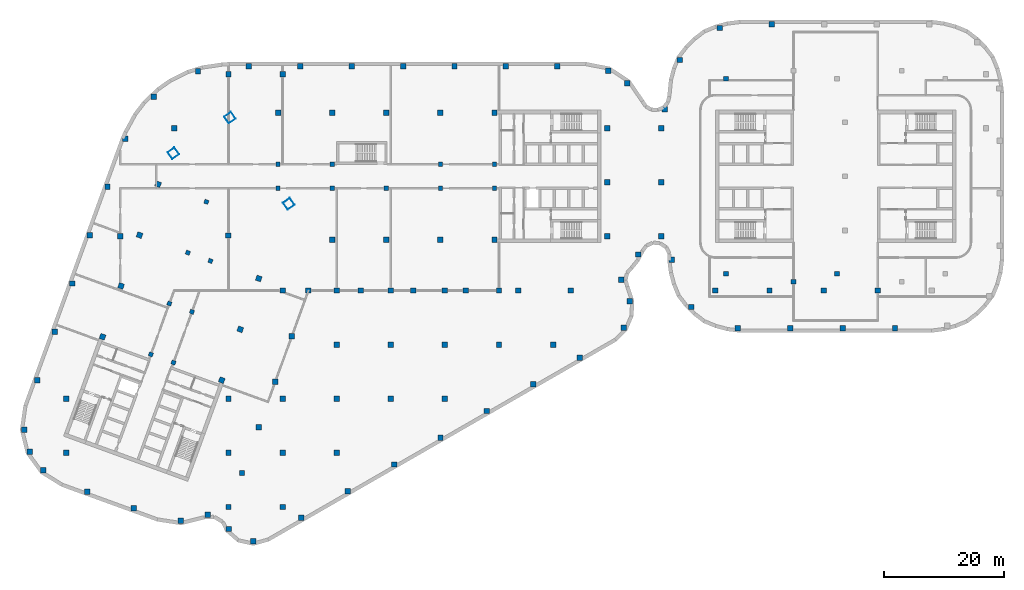
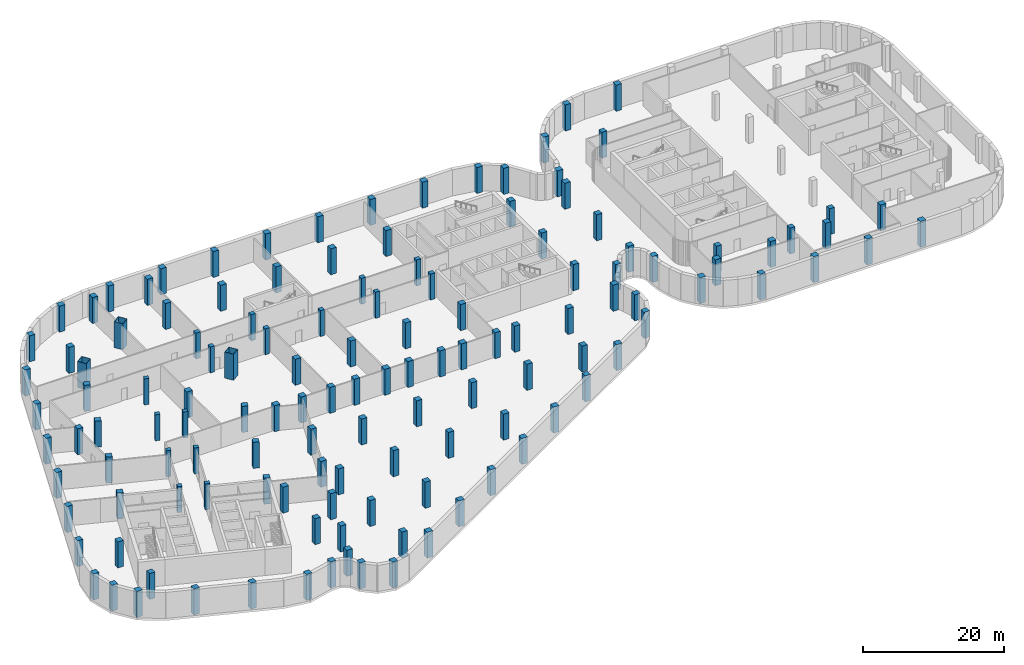
# One storey, part 1 of 16: 133 columns.
"""IFC4 building model written with IfcOpenShell, lengths in metres."""

from ifc_helpers import new_model, si_unit, direction, frame, origin, origin_2d, place, context, subcontext, project, spatial, rectangle, hollow_rectangle, extrude, material, material_profile, profile_set, type_object, element, save


model = new_model("IFC4")

# Units and contexts
model_context = context("Model", 3, precision=1e-05, world=origin(), true_north=direction((0.0, 1.0)))
body_context = subcontext(model_context, "Body", "Model", "MODEL_VIEW")
ifc_project = project(units=[si_unit("LENGTHUNIT", "METRE"), si_unit("AREAUNIT", "SQUARE_METRE"), si_unit("VOLUMEUNIT", "CUBIC_METRE"), si_unit("PLANEANGLEUNIT", "RADIAN"), si_unit("MASSUNIT", "GRAM", prefix="KILO")], contexts=[model_context])

# Site, building, storey
site_placement = place(None, origin())
site = spatial("IfcSite", under=ifc_project, at=site_placement, CompositionType="ELEMENT")
building_placement = place(site_placement, origin())
building = spatial("IfcBuilding", under=site, at=building_placement, Name="Skarvind Civic Tower", CompositionType="ELEMENT")
storey_placement = place(building_placement, frame((0.0, 0.0, -4.5)))
storey = spatial("IfcBuildingStorey", under=building, at=storey_placement, Name="B1", CompositionType="ELEMENT", Elevation=-4.5)

# Columns
ifc_material_1 = material(Name="Concrete C60", Category="concrete")
ifc_material_profile_1 = material_profile(ifc_material_1, rectangle(XDim=0.699951171875, YDim=0.699951171875, at=origin_2d()), Name="RC-700x700")
ifc_profile_set_1 = profile_set([ifc_material_profile_1], Name="Concrete C60")
column_type_1 = type_object("IfcColumnType", Name="Column RC-700x700 C60", PredefinedType="COLUMN", material=ifc_profile_set_1)
for number, where, z_axis, x_axis, name in (
    (1, (54.25, 130.0, 0.0), (0.0, 0.0, 1.0), (1.0, 0.0, 0.0), "Column wing 1 north inner 02 B1"),
    (2, (63.25, 130.0, 0.0), (0.0, 0.0, 1.0), (1.0, 0.0, 0.0), "Column wing 1 north inner 03 B1"),
    (3, (81.25, 130.0, 0.0), (0.0, 0.0, 1.0), (1.0, 0.0, 0.0), "Column wing 1 north inner 05 B1"),
    (4, (90.25, 130.0, 0.0), (0.0, 0.0, 1.0), (1.0, 0.0, 0.0), "Column wing 1 north inner 06 B1"),
    (5, (54.25, 126.0, 0.0), (0.0, 0.0, 1.0), (1.0, 0.0, 0.0), "Column wing 1 south inner 02 B1"),
    (6, (63.25, 126.0, 0.0), (0.0, 0.0, 1.0), (1.0, 0.0, 0.0), "Column wing 1 south inner 03 B1"),
    (7, (72.25, 126.0, 0.0), (0.0, 0.0, 1.0), (1.0, 0.0, 0.0), "Column wing 1 south inner 04 B1"),
    (8, (81.25, 126.0, 0.0), (0.0, 0.0, 1.0), (1.0, 0.0, 0.0), "Column wing 1 south inner 05 B1"),
    (9, (90.25, 126.0, 0.0), (0.0, 0.0, 1.0), (1.0, 0.0, 0.0), "Column wing 1 south inner 06 B1"),
    (10, (43.005615234375, 113.92529296875, 0.0), (0.0, 0.0, 1.0), (-0.342020143326, -0.939692620786, 0.0), "Column wing 2 left inner 02 B1"),
    (11, (39.927490234375, 105.468017578125, 0.0), (0.0, 0.0, 1.0), (-0.342020143326, -0.939692620786, 0.0), "Column wing 2 left inner 03 B1"),
    (12, (36.84912109375, 97.010986328125, 0.0), (0.0, 0.0, 1.0), (-0.342020143326, -0.939692620786, 0.0), "Column wing 2 left inner 04 B1"),
    (13, (42.324951171875, 123.750732421875, 0.0), (0.0, 0.0, 1.0), (-0.342020143326, -0.939692620786, 0.0), "Column wing 2 right inner 01 B1"),
    (14, (39.246826171875, 115.29345703125, 0.0), (0.0, 0.0, 1.0), (-0.342020143326, -0.939692620786, 0.0), "Column wing 2 right inner 02 B1"),
    (15, (36.168701171875, 106.836181640625, 0.0), (0.0, 0.0, 1.0), (-0.342020143326, -0.939692620786, 0.0), "Column wing 2 right inner 03 B1"),
    (16, (33.090576171875, 98.37890625, 0.0), (0.0, 0.0, 1.0), (-0.342020143326, -0.939692620786, 0.0), "Column wing 2 right inner 04 B1"),
):
    element("IfcColumn", number, at=place(storey_placement, frame(where, z_axis=z_axis, x_axis=x_axis)), inside=storey, type_object=column_type_1, Name=name, PredefinedType="COLUMN", context=body_context, shape_type="SweptSolid", body=[
        extrude(rectangle(XDim=0.699951171875, YDim=0.699951171875, at=origin_2d()), origin(), (0.0, 0.0, 1.0), 4.5),
    ])
ifc_material_profile_2 = material_profile(ifc_material_1, rectangle(XDim=0.800048828125, YDim=0.800048828125, at=origin_2d()), Name="RC-800x800")
ifc_profile_set_2 = profile_set([ifc_material_profile_2], Name="Concrete C60")
column_type_2 = type_object("IfcColumnType", Name="Column RC-800x800 C60", PredefinedType="COLUMN", material=ifc_profile_set_2)
for number, where, z_axis, x_axis, name in (
    (17, (128.777099609375, 144.222900390625, 0.0), (0.0, 0.0, 1.0), (1.0, 0.0, 0.0), "Column second tower north-west corner B1"),
    (18, (128.777099609375, 111.777099609375, 0.0), (0.0, 0.0, 1.0), (1.0, 0.0, 0.0), "Column second tower south-west corner B1"),
    (19, (140.0, 110.449951171875, 0.0), (0.0, 0.0, 1.0), (1.0, 0.0, 0.0), "Column second tower south perimeter 02 B1"),
    (20, (147.222900390625, 111.777099609375, 0.0), (0.0, 0.0, 1.0), (1.0, 0.0, 0.0), "Column second tower south perimeter 03 B1"),
):
    element("IfcColumn", number, at=place(storey_placement, frame(where, z_axis=z_axis, x_axis=x_axis)), inside=storey, type_object=column_type_2, Name=name, PredefinedType="COLUMN", context=body_context, shape_type="SweptSolid", body=[
        extrude(rectangle(XDim=0.800048828125, YDim=0.800048828125, at=origin_2d()), origin(), (0.0, 0.0, 1.0), 4.5),
    ])
ifc_material_profile_3 = material_profile(ifc_material_1, rectangle(XDim=0.89990234375, YDim=0.89990234375, at=origin_2d()), Name="RC-900x900")
ifc_profile_set_3 = profile_set([ifc_material_profile_3], Name="Concrete C60")
column_type_3 = type_object("IfcColumnType", Name="Column RC-900x900 C60", PredefinedType="COLUMN", material=ifc_profile_set_3)
for number, where, z_axis, x_axis, name in (
    (21, (127.0, 109.0, 0.0), (0.0, 0.0, 1.0), (1.0, 0.0, 0.0), "Column podium grid 100 B1"),
    (22, (136.0, 109.0, 0.0), (0.0, 0.0, 1.0), (1.0, 0.0, 0.0), "Column podium grid 101 B1"),
    (23, (145.0, 109.0, 0.0), (0.0, 0.0, 1.0), (1.0, 0.0, 0.0), "Column podium grid 102 B1"),
    (24, (154.0, 109.0, 0.0), (0.0, 0.0, 1.0), (1.0, 0.0, 0.0), "Column podium grid 103 B1"),
    (25, (19.0, 82.0, 0.0), (0.0, 0.0, 1.0), (1.0, 0.0, 0.0), "Column podium grid 68 B1"),
    (26, (19.0, 91.0, 0.0), (0.0, 0.0, 1.0), (1.0, 0.0, 0.0), "Column podium grid 69 B1"),
    (27, (28.0, 118.0, 0.0), (0.0, 0.0, 1.0), (1.0, 0.0, 0.0), "Column podium grid 70 B1"),
    (28, (37.0, 136.0, 0.0), (0.0, 0.0, 1.0), (1.0, 0.0, 0.0), "Column podium grid 71 B1"),
    (29, (46.0, 73.0, 0.0), (0.0, 0.0, 1.0), (1.0, 0.0, 0.0), "Column podium grid 72 B1"),
    (30, (46.0, 82.0, 0.0), (0.0, 0.0, 1.0), (1.0, 0.0, 0.0), "Column podium grid 73 B1"),
    (31, (46.0, 91.0, 0.0), (0.0, 0.0, 1.0), (1.0, 0.0, 0.0), "Column podium grid 74 B1"),
    (32, (46.0, 145.0, 0.0), (0.0, 0.0, 1.0), (1.0, 0.0, 0.0), "Column podium grid 75 B1"),
    (33, (55.0, 73.0, 0.0), (0.0, 0.0, 1.0), (1.0, 0.0, 0.0), "Column podium grid 76 B1"),
    (34, (55.0, 82.0, 0.0), (0.0, 0.0, 1.0), (1.0, 0.0, 0.0), "Column podium grid 77 B1"),
    (35, (55.0, 91.0, 0.0), (0.0, 0.0, 1.0), (1.0, 0.0, 0.0), "Column podium grid 78 B1"),
    (36, (55.0, 109.0, 0.0), (0.0, 0.0, 1.0), (1.0, 0.0, 0.0), "Column podium grid 79 B1"),
    (37, (55.0, 145.0, 0.0), (0.0, 0.0, 1.0), (1.0, 0.0, 0.0), "Column podium grid 80 B1"),
    (38, (64.0, 82.0, 0.0), (0.0, 0.0, 1.0), (1.0, 0.0, 0.0), "Column podium grid 81 B1"),
    (39, (64.0, 91.0, 0.0), (0.0, 0.0, 1.0), (1.0, 0.0, 0.0), "Column podium grid 82 B1"),
    (40, (64.0, 100.0, 0.0), (0.0, 0.0, 1.0), (1.0, 0.0, 0.0), "Column podium grid 83 B1"),
    (41, (64.0, 109.0, 0.0), (0.0, 0.0, 1.0), (1.0, 0.0, 0.0), "Column podium grid 84 B1"),
    (42, (73.0, 91.0, 0.0), (0.0, 0.0, 1.0), (1.0, 0.0, 0.0), "Column podium grid 85 B1"),
    (43, (73.0, 100.0, 0.0), (0.0, 0.0, 1.0), (1.0, 0.0, 0.0), "Column podium grid 86 B1"),
    (44, (73.0, 109.0, 0.0), (0.0, 0.0, 1.0), (1.0, 0.0, 0.0), "Column podium grid 87 B1"),
    (45, (82.0, 91.0, 0.0), (0.0, 0.0, 1.0), (1.0, 0.0, 0.0), "Column podium grid 88 B1"),
    (46, (82.0, 100.0, 0.0), (0.0, 0.0, 1.0), (1.0, 0.0, 0.0), "Column podium grid 89 B1"),
    (47, (82.0, 109.0, 0.0), (0.0, 0.0, 1.0), (1.0, 0.0, 0.0), "Column podium grid 90 B1"),
    (48, (91.0, 100.0, 0.0), (0.0, 0.0, 1.0), (1.0, 0.0, 0.0), "Column podium grid 91 B1"),
    (49, (91.0, 109.0, 0.0), (0.0, 0.0, 1.0), (1.0, 0.0, 0.0), "Column podium grid 92 B1"),
    (50, (100.0, 100.0, 0.0), (0.0, 0.0, 1.0), (1.0, 0.0, 0.0), "Column podium grid 93 B1"),
    (51, (109.0, 118.0, 0.0), (0.0, 0.0, 1.0), (1.0, 0.0, 0.0), "Column podium grid 94 B1"),
    (52, (109.0, 127.0, 0.0), (0.0, 0.0, 1.0), (1.0, 0.0, 0.0), "Column podium grid 95 B1"),
    (53, (109.0, 136.0, 0.0), (0.0, 0.0, 1.0), (1.0, 0.0, 0.0), "Column podium grid 96 B1"),
    (54, (118.0, 118.0, 0.0), (0.0, 0.0, 1.0), (1.0, 0.0, 0.0), "Column podium grid 97 B1"),
    (55, (118.0, 127.0, 0.0), (0.0, 0.0, 1.0), (1.0, 0.0, 0.0), "Column podium grid 98 B1"),
    (56, (118.0, 136.0, 0.0), (0.0, 0.0, 1.0), (1.0, 0.0, 0.0), "Column podium grid 99 B1"),
    (57, (50.135498046875, 67.277099609375, 0.0), (0.0, 0.0, 1.0), (1.0, 0.0, 0.0), "Column podium edge 01 B1"),
    (58, (46.0517578125, 69.341796875, 0.0), (0.0, 0.0, 1.0), (1.0, 0.0, 0.0), "Column podium edge 02 B1"),
    (59, (42.575927734375, 71.690673828125, 0.0), (0.0, 0.0, 1.0), (1.0, 0.0, 0.0), "Column podium edge 03 B1"),
    (60, (38.081787109375, 70.70361328125, 0.0), (0.0, 0.0, 1.0), (1.0, 0.0, 0.0), "Column podium edge 04 B1"),
    (61, (30.215087890625, 72.767822265625, 0.0), (0.0, 0.0, 1.0), (1.0, 0.0, 0.0), "Column podium edge 05 B1"),
    (62, (22.53515625, 75.56298828125, 0.0), (0.0, 0.0, 1.0), (1.0, 0.0, 0.0), "Column podium edge 06 B1"),
    (63, (15.204833984375, 79.07763671875, 0.0), (0.0, 0.0, 1.0), (1.0, 0.0, 0.0), "Column podium edge 07 B1"),
    (64, (12.957763671875, 82.1640625, 0.0), (0.0, 0.0, 1.0), (1.0, 0.0, 0.0), "Column podium edge 08 B1"),
    (65, (12.037841796875, 85.869384765625, 0.0), (0.0, 0.0, 1.0), (1.0, 0.0, 0.0), "Column podium edge 09 B1"),
    (66, (14.1865234375, 94.0986328125, 0.0), (0.0, 0.0, 1.0), (1.0, 0.0, 0.0), "Column podium edge 10 B1"),
    (67, (17.11083984375, 102.133056640625, 0.0), (0.0, 0.0, 1.0), (1.0, 0.0, 0.0), "Column podium edge 11 B1"),
    (68, (20.03515625, 110.167724609375, 0.0), (0.0, 0.0, 1.0), (1.0, 0.0, 0.0), "Column podium edge 12 B1"),
    (69, (22.95947265625, 118.2021484375, 0.0), (0.0, 0.0, 1.0), (1.0, 0.0, 0.0), "Column podium edge 13 B1"),
    (70, (25.8837890625, 126.236572265625, 0.0), (0.0, 0.0, 1.0), (1.0, 0.0, 0.0), "Column podium edge 14 B1"),
    (71, (28.818603515625, 134.266845703125, 0.0), (0.0, 0.0, 1.0), (1.0, 0.0, 0.0), "Column podium edge 15 B1"),
    (72, (33.59375, 141.267822265625, 0.0), (0.0, 0.0, 1.0), (1.0, 0.0, 0.0), "Column podium edge 16 B1"),
    (73, (40.927001953125, 145.478515625, 0.0), (0.0, 0.0, 1.0), (1.0, 0.0, 0.0), "Column podium edge 17 B1"),
    (74, (49.399658203125, 146.300048828125, 0.0), (0.0, 0.0, 1.0), (1.0, 0.0, 0.0), "Column podium edge 18 B1"),
    (75, (57.949951171875, 146.300048828125, 0.0), (0.0, 0.0, 1.0), (1.0, 0.0, 0.0), "Column podium edge 19 B1"),
    (76, (66.5, 146.300048828125, 0.0), (0.0, 0.0, 1.0), (1.0, 0.0, 0.0), "Column podium edge 20 B1"),
    (77, (75.050048828125, 146.300048828125, 0.0), (0.0, 0.0, 1.0), (1.0, 0.0, 0.0), "Column podium edge 21 B1"),
    (78, (83.600341796875, 146.300048828125, 0.0), (0.0, 0.0, 1.0), (1.0, 0.0, 0.0), "Column podium edge 22 B1"),
    (79, (92.150390625, 146.300048828125, 0.0), (0.0, 0.0, 1.0), (1.0, 0.0, 0.0), "Column podium edge 23 B1"),
    (80, (100.700439453125, 146.300048828125, 0.0), (0.0, 0.0, 1.0), (1.0, 0.0, 0.0), "Column podium edge 24 B1"),
    (81, (109.179931640625, 145.566650390625, 0.0), (0.0, 0.0, 1.0), (1.0, 0.0, 0.0), "Column podium edge 25 B1"),
    (82, (112.329345703125, 143.49560546875, 0.0), (0.0, 0.0, 1.0), (1.0, 0.0, 0.0), "Column podium edge 26 B1"),
    (83, (118.597900390625, 139.153076171875, 0.0), (0.0, 0.0, 1.0), (1.0, 0.0, 0.0), "Column podium edge 27 B1"),
    (84, (121.09521484375, 147.3408203125, 0.0), (0.0, 0.0, 1.0), (1.0, 0.0, 0.0), "Column podium edge 28 B1"),
    (85, (127.706787109375, 152.675048828125, 0.0), (0.0, 0.0, 1.0), (1.0, 0.0, 0.0), "Column podium edge 29 B1"),
    (86, (136.371826171875, 153.300048828125, 0.0), (0.0, 0.0, 1.0), (1.0, 0.0, 0.0), "Column podium edge 30 B1"),
    (87, (156.875, 102.699951171875, 0.0), (0.0, 0.0, 1.0), (1.0, 0.0, 0.0), "Column podium edge 41 B1"),
    (88, (148.1455078125, 102.699951171875, 0.0), (0.0, 0.0, 1.0), (1.0, 0.0, 0.0), "Column podium edge 42 B1"),
    (89, (139.415771484375, 102.699951171875, 0.0), (0.0, 0.0, 1.0), (1.0, 0.0, 0.0), "Column podium edge 43 B1"),
    (90, (130.689453125, 102.749755859375, 0.0), (0.0, 0.0, 1.0), (1.0, 0.0, 0.0), "Column podium edge 44 B1"),
    (91, (122.94677734375, 106.265380859375, 0.0), (0.0, 0.0, 1.0), (1.0, 0.0, 0.0), "Column podium edge 45 B1"),
    (92, (119.70458984375, 114.13671875, 0.0), (0.0, 0.0, 1.0), (1.0, 0.0, 0.0), "Column podium edge 46 B1"),
    (93, (114.146240234375, 114.994384765625, 0.0), (0.0, 0.0, 1.0), (1.0, 0.0, 0.0), "Column podium edge 47 B1"),
    (94, (112.776611328125, 107.21484375, 0.0), (0.0, 0.0, 1.0), (1.0, 0.0, 0.0), "Column podium edge 48 B1"),
    (95, (111.77294921875, 102.8076171875, 0.0), (0.0, 0.0, 1.0), (1.0, 0.0, 0.0), "Column podium edge 49 B1"),
    (96, (104.4453125, 97.850830078125, 0.0), (0.0, 0.0, 1.0), (1.0, 0.0, 0.0), "Column podium edge 50 B1"),
    (97, (96.719970703125, 93.404541015625, 0.0), (0.0, 0.0, 1.0), (1.0, 0.0, 0.0), "Column podium edge 51 B1"),
    (98, (88.994384765625, 88.958251953125, 0.0), (0.0, 0.0, 1.0), (1.0, 0.0, 0.0), "Column podium edge 52 B1"),
    (99, (81.26904296875, 84.511962890625, 0.0), (0.0, 0.0, 1.0), (1.0, 0.0, 0.0), "Column podium edge 53 B1"),
    (100, (73.543701171875, 80.065673828125, 0.0), (0.0, 0.0, 1.0), (1.0, 0.0, 0.0), "Column podium edge 54 B1"),
    (101, (65.818359375, 75.619384765625, 0.0), (0.0, 0.0, 1.0), (1.0, 0.0, 0.0), "Column podium edge 55 B1"),
    (102, (58.093017578125, 71.173095703125, 0.0), (0.0, 0.0, 1.0), (1.0, 0.0, 0.0), "Column podium edge 56 B1"),
    (103, (48.256591796875, 78.647705078125, 0.0), (0.0, 0.0, 1.0), (1.0, 0.0, 0.0), "Column podium edge 57 B1"),
    (104, (51.0185546875, 86.23583984375, 0.0), (0.0, 0.0, 1.0), (1.0, 0.0, 0.0), "Column podium edge 58 B1"),
    (105, (53.7802734375, 93.823974609375, 0.0), (0.0, 0.0, 1.0), (1.0, 0.0, 0.0), "Column podium edge 59 B1"),
    (106, (56.5419921875, 101.411865234375, 0.0), (0.0, 0.0, 1.0), (1.0, 0.0, 0.0), "Column podium edge 60 B1"),
    (107, (59.303955078125, 109.0, 0.0), (0.0, 0.0, 1.0), (1.0, 0.0, 0.0), "Column podium edge 61 B1"),
    (108, (68.033203125, 109.0, 0.0), (0.0, 0.0, 1.0), (1.0, 0.0, 0.0), "Column podium edge 62 B1"),
    (109, (76.762451171875, 109.0, 0.0), (0.0, 0.0, 1.0), (1.0, 0.0, 0.0), "Column podium edge 63 B1"),
    (110, (85.491455078125, 109.0, 0.0), (0.0, 0.0, 1.0), (1.0, 0.0, 0.0), "Column podium edge 64 B1"),
    (111, (94.220703125, 109.0, 0.0), (0.0, 0.0, 1.0), (1.0, 0.0, 0.0), "Column podium edge 65 B1"),
    (112, (102.949951171875, 109.0, 0.0), (0.0, 0.0, 1.0), (1.0, 0.0, 0.0), "Column podium edge 66 B1"),
    (113, (111.3330078125, 110.789794921875, 0.0), (0.0, 0.0, 1.0), (1.0, 0.0, 0.0), "Column podium edge 67 B1"),
):
    element("IfcColumn", number, at=place(storey_placement, frame(where, z_axis=z_axis, x_axis=x_axis)), inside=storey, type_object=column_type_3, Name=name, PredefinedType="COLUMN", context=body_context, shape_type="SweptSolid", body=[
        extrude(rectangle(XDim=0.89990234375, YDim=0.89990234375, at=origin_2d()), origin(), (0.0, 0.0, 1.0), 4.5),
    ])
ifc_material_2 = material(Name="Concrete C80", Category="concrete")
ifc_material_profile_4 = material_profile(ifc_material_2, rectangle(XDim=0.89990234375, YDim=0.89990234375, at=origin_2d()), Name="RC-900x900")
ifc_profile_set_4 = profile_set([ifc_material_profile_4], Name="Concrete C80")
column_type_4 = type_object("IfcColumnType", Name="Column RC-900x900 C80", PredefinedType="COLUMN", material=ifc_profile_set_4)
for number, where, z_axis, x_axis, name in (
    (114, (54.25, 138.550048828125, 0.0), (0.0, 0.0, 1.0), (1.0, 0.0, 0.0), "Column wing 1 north perimeter 02 B1"),
    (115, (63.25, 138.550048828125, 0.0), (0.0, 0.0, 1.0), (1.0, 0.0, 0.0), "Column wing 1 north perimeter 03 B1"),
    (116, (72.25, 138.550048828125, 0.0), (0.0, 0.0, 1.0), (1.0, 0.0, 0.0), "Column wing 1 north perimeter 04 B1"),
    (117, (81.25, 138.550048828125, 0.0), (0.0, 0.0, 1.0), (1.0, 0.0, 0.0), "Column wing 1 north perimeter 05 B1"),
    (118, (90.25, 138.550048828125, 0.0), (0.0, 0.0, 1.0), (1.0, 0.0, 0.0), "Column wing 1 north perimeter 06 B1"),
    (119, (45.95166015625, 118.151611328125, 0.0), (0.0, 0.0, 1.0), (1.0, 0.0, 0.0), "Column wing 1 south perimeter 01 B1"),
    (120, (63.25, 117.449951171875, 0.0), (0.0, 0.0, 1.0), (1.0, 0.0, 0.0), "Column wing 1 south perimeter 03 B1"),
    (121, (72.25, 117.449951171875, 0.0), (0.0, 0.0, 1.0), (1.0, 0.0, 0.0), "Column wing 1 south perimeter 04 B1"),
    (122, (81.25, 117.449951171875, 0.0), (0.0, 0.0, 1.0), (1.0, 0.0, 0.0), "Column wing 1 south perimeter 05 B1"),
    (123, (90.25, 117.449951171875, 0.0), (0.0, 0.0, 1.0), (1.0, 0.0, 0.0), "Column wing 1 south perimeter 06 B1"),
    (124, (51.0400390625, 111.0009765625, 0.0), (0.0, 0.0, 1.0), (-0.342020143326, -0.939692620786, 0.0), "Column wing 2 left perimeter 02 B1"),
    (125, (47.961669921875, 102.5439453125, 0.0), (0.0, 0.0, 1.0), (-0.342020143326, -0.939692620786, 0.0), "Column wing 2 left perimeter 03 B1"),
    (126, (44.883544921875, 94.086669921875, 0.0), (0.0, 0.0, 1.0), (-0.342020143326, -0.939692620786, 0.0), "Column wing 2 left perimeter 04 B1"),
    (127, (34.29052734375, 126.6748046875, 0.0), (0.0, 0.0, 1.0), (-0.342020143326, -0.939692620786, 0.0), "Column wing 2 right perimeter 01 B1"),
    (128, (31.21240234375, 118.2177734375, 0.0), (0.0, 0.0, 1.0), (-0.342020143326, -0.939692620786, 0.0), "Column wing 2 right perimeter 02 B1"),
    (129, (28.13427734375, 109.760498046875, 0.0), (0.0, 0.0, 1.0), (-0.342020143326, -0.939692620786, 0.0), "Column wing 2 right perimeter 03 B1"),
    (130, (25.05615234375, 101.30322265625, 0.0), (0.0, 0.0, 1.0), (-0.342020143326, -0.939692620786, 0.0), "Column wing 2 right perimeter 04 B1"),
):
    element("IfcColumn", number, at=place(storey_placement, frame(where, z_axis=z_axis, x_axis=x_axis)), inside=storey, type_object=column_type_4, Name=name, PredefinedType="COLUMN", context=body_context, shape_type="SweptSolid", body=[
        extrude(rectangle(XDim=0.89990234375, YDim=0.89990234375, at=origin_2d()), origin(), (0.0, 0.0, 1.0), 4.5),
    ])
ifc_material_3 = material(Name="Composite concrete-filled steel tube, Steel SM355 with Concrete C80", Category="concrete")
ifc_material_profile_5 = material_profile(ifc_material_3, hollow_rectangle(XDim=1.39990234375, YDim=1.39990234375, WallThickness=0.0400390625, at=origin_2d()), Name="BOX-1400x1400x40")
ifc_profile_set_5 = profile_set([ifc_material_profile_5], Name="Composite concrete-filled steel tube, Steel SM355 with Concrete C80")
column_type_5 = type_object("IfcColumnType", Name="Mega column BOX-1400x1400x40 filled C80", PredefinedType="COLUMN", material=ifc_profile_set_5)
for number, where, z_axis, x_axis, name in (
    (131, (36.845947265625, 131.837646484375, 0.0), (0.0, 0.0, 1.0), (0.573576436351, -0.819152044289, 0.0), "Mega column 1 B1"),
    (132, (46.2470703125, 137.762451171875, 0.0), (0.0, 0.0, 1.0), (0.573576436351, -0.819152044289, 0.0), "Mega column 2 B1"),
    (133, (56.0361328125, 123.43017578125, 0.0), (0.0, 0.0, 1.0), (0.573576436351, -0.819152044289, 0.0), "Mega column 4 B1"),
):
    element("IfcColumn", number, at=place(storey_placement, frame(where, z_axis=z_axis, x_axis=x_axis)), inside=storey, type_object=column_type_5, Name=name, PredefinedType="COLUMN", context=body_context, shape_type="SweptSolid", body=[
        extrude(hollow_rectangle(XDim=1.39990234375, YDim=1.39990234375, WallThickness=0.0400390625, at=origin_2d()), origin(), (0.0, 0.0, 1.0), 4.5),
    ])

save(model, "model.ifc")
